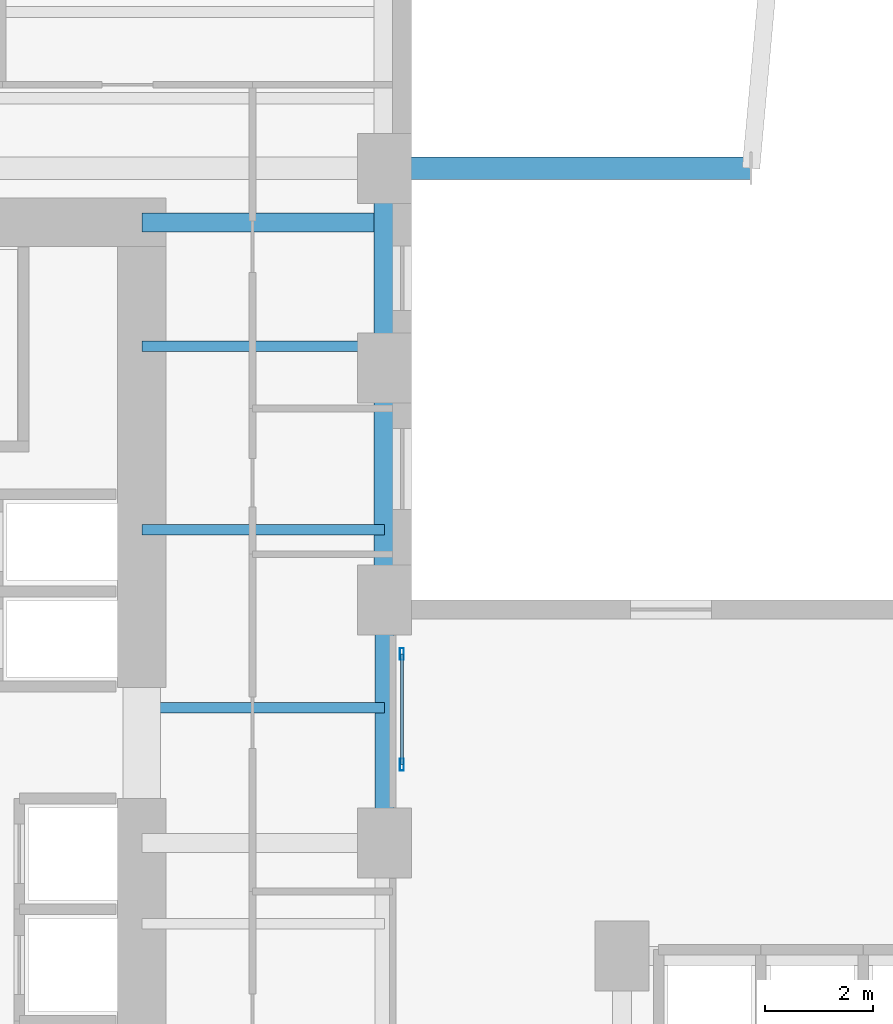
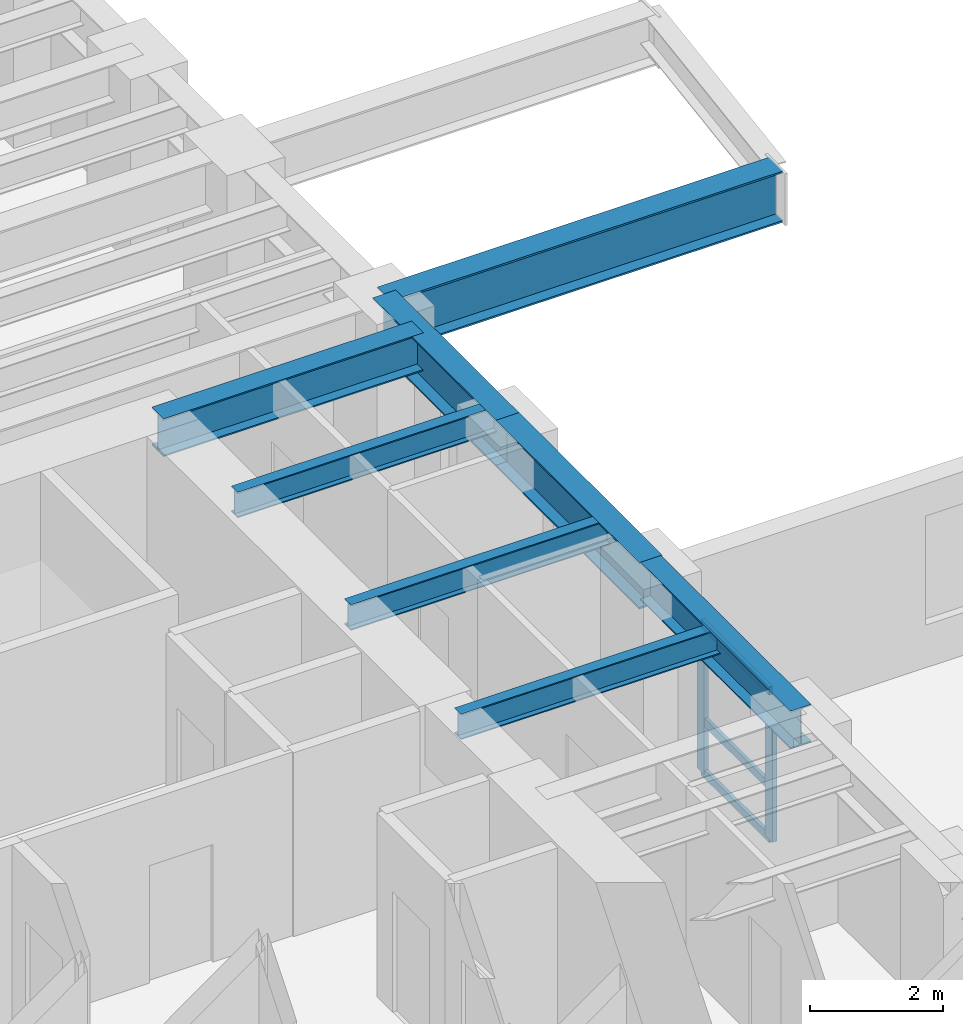
# One storey, part 2 of 14: 8 beams, 5 members, 1 element without a shape of its own.
"""IFC4 building model written with IfcOpenShell, lengths in metres."""

from ifc_helpers import new_model, si_unit, direction, frame, origin, origin_2d, place, context, subcontext, project, spatial, hollow_rectangle, i_section, extrude, source, transform, mapped, material, layer, layer_set, material_profile, profile_set, type_object, element, aggregate, save


model = new_model("IFC4")

# Units and contexts
model_context = context("Model", 3, precision=1e-05, world=origin(), true_north=direction((0.0, 1.0)))
body_context = subcontext(model_context, "Body", "Model", "MODEL_VIEW")
ifc_project = project(units=[si_unit("LENGTHUNIT", "METRE"), si_unit("AREAUNIT", "SQUARE_METRE"), si_unit("VOLUMEUNIT", "CUBIC_METRE"), si_unit("PLANEANGLEUNIT", "RADIAN"), si_unit("MASSUNIT", "GRAM", prefix="KILO")], contexts=[model_context])

# Site, building, storey
site_placement = place(None, origin())
site = spatial("IfcSite", under=ifc_project, at=site_placement, CompositionType="ELEMENT")
building_placement = place(site_placement, origin())
building = spatial("IfcBuilding", under=site, at=building_placement, Name="Kharzan Plaza Tower", CompositionType="ELEMENT")
storey_placement = place(building_placement, frame((0.0, 0.0, 36.89990234375)))
storey = spatial("IfcBuildingStorey", under=building, at=storey_placement, Name="L09", CompositionType="ELEMENT", Elevation=36.89990234375)

# Beams
ifc_material_1 = material(Name="Steel S355", Category="steel")
ifc_material_profile_1 = material_profile(ifc_material_1, i_section(OverallWidth=0.35498046875, OverallDepth=0.695068359375, WebThickness=0.015380859375, FlangeThickness=0.02490234375, at=origin_2d()), Name="W690x217")
ifc_profile_set_1 = profile_set([ifc_material_profile_1], Name="Steel S355")
beam_type_1 = type_object("IfcBeamType", Name="BM-FG690A", PredefinedType="BEAM", material=ifc_profile_set_1)
shared_shape_1 = source(origin(), body_context, "Body", "SweptSolid", [
    extrude(i_section(OverallWidth=0.35498046875, OverallDepth=0.695068359375, WebThickness=0.015380859375, FlangeThickness=0.02490234375, at=origin_2d()), origin(), (0.0, 0.0, 1.0), 4.5),
])
for number, where, z_axis, x_axis, name in (
    (1, (14.5, 29.5, 3.03271484375), (1.0, 0.0, 0.0), (0.0, 1.0, 0.0), "L09 Core-A East Floor Girder 3"),
    (2, (19.0, 18.0, 3.03271484375), (0.0, 1.0, 0.0), (-1.0, 0.0, 0.0), "L09 Interior Frame Girder"),
):
    element("IfcBeam", number, at=place(storey_placement, frame(where, z_axis=z_axis, x_axis=x_axis)), inside=storey, type_object=beam_type_1, Name=name, PredefinedType="BEAM", context=body_context, shape_type="MappedRepresentation", body=[
        mapped(shared_shape_1, transform((0.0, 0.0, 0.0), x_axis=(1.0, 0.0, 0.0), y_axis=(0.0, 1.0, 0.0), z_axis=(0.0, 0.0, 1.0))),
    ])
ifc_material_profile_2 = material_profile(ifc_material_1, i_section(OverallWidth=0.194091796875, OverallDepth=0.468994140625, WebThickness=0.011474609375, FlangeThickness=0.0205078125, at=origin_2d()), Name="W460x106")
ifc_profile_set_2 = profile_set([ifc_material_profile_2], Name="Steel S355")
beam_type_2 = type_object("IfcBeamType", Name="BM-JST460", PredefinedType="JOIST", material=ifc_profile_set_2)
shared_shape_2 = source(origin(), body_context, "Body", "SweptSolid", [
    extrude(i_section(OverallWidth=0.194091796875, OverallDepth=0.468994140625, WebThickness=0.011474609375, FlangeThickness=0.0205078125, at=origin_2d()), origin(), (0.0, 0.0, 1.0), 4.5),
])
for number, where, z_axis, x_axis, name in (
    (3, (14.5, 20.5, 3.1455078125), (1.0, 0.0, 0.0), (0.0, 1.0, 0.0), "L09 Wing A East Infill Joist 4"),
    (4, (14.5, 23.800048828125, 3.1455078125), (1.0, 0.0, 0.0), (0.0, 1.0, 0.0), "L09 Wing A East Infill Joist 5"),
    (5, (14.5, 27.199951171875, 3.1455078125), (1.0, 0.0, 0.0), (0.0, 1.0, 0.0), "L09 Wing A East Infill Joist 6"),
):
    element("IfcBeam", number, at=place(storey_placement, frame(where, z_axis=z_axis, x_axis=x_axis)), inside=storey, type_object=beam_type_2, Name=name, PredefinedType="JOIST", context=body_context, shape_type="MappedRepresentation", body=[
        mapped(shared_shape_2, transform((0.0, 0.0, 0.0), x_axis=(1.0, 0.0, 0.0), y_axis=(0.0, 1.0, 0.0), z_axis=(0.0, 0.0, 1.0))),
    ])
ifc_material_profile_3 = material_profile(ifc_material_1, i_section(OverallWidth=0.40087890625, OverallDepth=0.85498046875, WebThickness=0.018310546875, FlangeThickness=0.029296875, at=origin_2d()), Name="W840x299")
ifc_profile_set_3 = profile_set([ifc_material_profile_3], Name="Steel S355")
beam_type_3 = type_object("IfcBeamType", Name="BM-SP840A", PredefinedType="SPANDREL", material=ifc_profile_set_3)
shared_shape_3 = source(origin(), body_context, "Body", "SweptSolid", [
    extrude(i_section(OverallWidth=0.40087890625, OverallDepth=0.85498046875, WebThickness=0.018310546875, FlangeThickness=0.029296875, at=origin_2d()), origin(), (0.0, 0.0, 1.0), 4.300048828125),
])
beam_1_placement = place(storey_placement, frame((19.0, 22.5, 2.95263671875), z_axis=(0.0, 1.0, 0.0), x_axis=(-1.0, 0.0, 0.0)))
element("IfcBeam", 6, at=beam_1_placement, inside=storey, type_object=beam_type_3, Name="L09 Perimeter Tube Spandrel", PredefinedType="SPANDREL", context=body_context, shape_type="MappedRepresentation", body=[
    mapped(shared_shape_3, transform((0.0, 0.0, 0.0), x_axis=(1.0, 0.0, 0.0), y_axis=(0.0, 1.0, 0.0), z_axis=(0.0, 0.0, 1.0))),
])
shared_shape_4 = source(origin(), body_context, "Body", "SweptSolid", [
    extrude(i_section(OverallWidth=0.40087890625, OverallDepth=0.85498046875, WebThickness=0.018310546875, FlangeThickness=0.029296875, at=origin_2d()), origin(), (0.0, 0.0, 1.0), 3.699951171875),
])
beam_2_placement = place(storey_placement, frame((19.0, 26.800048828125, 2.95263671875), z_axis=(0.0, 1.0, 0.0), x_axis=(-1.0, 0.0, 0.0)))
element("IfcBeam", 7, at=beam_2_placement, inside=storey, type_object=beam_type_3, Name="L09 Perimeter Tube Spandrel", PredefinedType="SPANDREL", context=body_context, shape_type="MappedRepresentation", body=[
    mapped(shared_shape_4, transform((0.0, 0.0, 0.0), x_axis=(1.0, 0.0, 0.0), y_axis=(0.0, 1.0, 0.0), z_axis=(0.0, 0.0, 1.0))),
])
ifc_material_profile_4 = material_profile(ifc_material_1, i_section(OverallWidth=0.41796875, OverallDepth=0.93701171875, WebThickness=0.019287109375, FlangeThickness=0.031982421875, at=origin_2d()), Name="W920x342")
ifc_profile_set_4 = profile_set([ifc_material_profile_4], Name="Steel S355")
beam_type_4 = type_object("IfcBeamType", Name="BM-ZTG920", PredefinedType="BEAM", material=ifc_profile_set_4)
shared_shape_5 = source(origin(), body_context, "Body", "SweptSolid", [
    extrude(i_section(OverallWidth=0.41796875, OverallDepth=0.93701171875, WebThickness=0.019287109375, FlangeThickness=0.031982421875, at=origin_2d()), origin(), (0.0, 0.0, 1.0), 6.7900390625),
])
beam_3_placement = place(storey_placement, frame((19.0, 30.5, 2.91162109375), z_axis=(1.0, 0.0, 0.0), x_axis=(0.0, 1.0, 0.0)))
element("IfcBeam", 8, at=beam_3_placement, inside=storey, type_object=beam_type_4, Name="L09 Sky-Terrace Cantilever Girder ZTG1 (L10 G1)", PredefinedType="BEAM", context=body_context, shape_type="MappedRepresentation", body=[
    mapped(shared_shape_5, transform((0.0, 0.0, 0.0), x_axis=(1.0, 0.0, 0.0), y_axis=(0.0, 1.0, 0.0), z_axis=(0.0, 0.0, 1.0))),
])

# Curtain wall, members
ifc_material_2 = material(Name="Unitised Bronze-Anodized Aluminium and Low-E Glass", Category="aluminium")
ifc_layer = layer(ifc_material_2, 0.199951171875)
ifc_layer_set = layer_set([ifc_layer], Name="Unitised Bronze-Anodized Aluminium and Low-E Glass")
curtain_wall_type = type_object("IfcCurtainWallType", Name="CW-SLOT-3", PredefinedType="NOTDEFINED", material=ifc_layer_set)
curtain_wall_placement = place(storey_placement, origin())
curtain_wall = element("IfcCurtainWall", 9, at=curtain_wall_placement, inside=storey, type_object=curtain_wall_type, Name="L09 West Slot Recessed Spine Curtain Wall", PredefinedType="NOTDEFINED")
ifc_material_3 = material(Name="Anodized Bronze Aluminium", Category="aluminium")
ifc_material_profile_5 = material_profile(ifc_material_3, hollow_rectangle(XDim=0.06005859375, YDim=0.14990234375, WallThickness=0.00341796875, at=origin_2d()), Name="ALU-T150x60x3.5")
ifc_profile_set_5 = profile_set([ifc_material_profile_5], Name="Anodized Bronze Aluminium")
member_type_1 = type_object("IfcMemberType", Name="MEM-CW-TRN150", PredefinedType="USERDEFINED", material=ifc_profile_set_5)
shared_shape_6 = source(origin(), body_context, "Body", "SweptSolid", [
    extrude(hollow_rectangle(XDim=0.06005859375, YDim=0.14990234375, WallThickness=0.00341796875, at=origin_2d()), origin(), (0.0, 0.0, 1.0), 2.050048828125),
])
member_1_placement = place(storey_placement, frame((19.320068359375, 19.449951171875, 0.0), z_axis=(0.0, 1.0, 0.0), x_axis=(-1.0, 0.0, 0.0)))
member_1 = element("IfcMember", 10, at=member_1_placement, type_object=member_type_1, Name="L09 Curtain-Wall Transom 1", ObjectType="TRANSOM", PredefinedType="USERDEFINED", context=body_context, shape_type="MappedRepresentation", body=[
    mapped(shared_shape_6, transform((0.0, 0.0, 0.0), x_axis=(1.0, 0.0, 0.0), y_axis=(0.0, 1.0, 0.0), z_axis=(0.0, 0.0, 1.0))),
])
member_2_placement = place(storey_placement, frame((19.320068359375, 19.449951171875, 0.9501953125), z_axis=(0.0, 1.0, 0.0), x_axis=(-1.0, 0.0, 0.0)))
member_2 = element("IfcMember", 11, at=member_2_placement, type_object=member_type_1, Name="L09 Curtain-Wall Transom 2", ObjectType="TRANSOM", PredefinedType="USERDEFINED", context=body_context, shape_type="MappedRepresentation", body=[
    mapped(shared_shape_6, transform((0.0, 0.0, 0.0), x_axis=(1.0, 0.0, 0.0), y_axis=(0.0, 1.0, 0.0), z_axis=(0.0, 0.0, 1.0))),
])
member_3_placement = place(storey_placement, frame((19.320068359375, 19.449951171875, 2.7001953125), z_axis=(0.0, 1.0, 0.0), x_axis=(-1.0, 0.0, 0.0)))
member_3 = element("IfcMember", 12, at=member_3_placement, type_object=member_type_1, Name="L09 Curtain-Wall Transom 3", ObjectType="TRANSOM", PredefinedType="USERDEFINED", context=body_context, shape_type="MappedRepresentation", body=[
    mapped(shared_shape_6, transform((0.0, 0.0, 0.0), x_axis=(1.0, 0.0, 0.0), y_axis=(0.0, 1.0, 0.0), z_axis=(0.0, 0.0, 1.0))),
])
ifc_material_profile_6 = material_profile(ifc_material_3, hollow_rectangle(XDim=0.074951171875, YDim=0.219970703125, WallThickness=0.00390625, at=origin_2d()), Name="ALU-M220x75x4")
ifc_profile_set_6 = profile_set([ifc_material_profile_6], Name="Anodized Bronze Aluminium")
member_type_2 = type_object("IfcMemberType", Name="MEM-CW-MUL200", PredefinedType="MULLION", material=ifc_profile_set_6)
shared_shape_7 = source(origin(), body_context, "Body", "SweptSolid", [
    extrude(hollow_rectangle(XDim=0.074951171875, YDim=0.219970703125, WallThickness=0.00390625, at=origin_2d()), origin(), (0.0, 0.0, 1.0), 2.7001953125),
])
member_4_placement = place(storey_placement, frame((19.320068359375, 19.449951171875, 0.0), z_axis=(0.0, 0.0, 1.0), x_axis=(1.0, 0.0, 0.0)))
member_4 = element("IfcMember", 13, at=member_4_placement, type_object=member_type_2, Name="L09 Curtain-Wall Mullion 00", PredefinedType="MULLION", context=body_context, shape_type="MappedRepresentation", body=[
    mapped(shared_shape_7, transform((0.0, 0.0, 0.0), x_axis=(1.0, 0.0, 0.0), y_axis=(0.0, 1.0, 0.0), z_axis=(0.0, 0.0, 1.0))),
])
member_5_placement = place(storey_placement, frame((19.320068359375, 21.5, 0.0), z_axis=(0.0, 0.0, 1.0), x_axis=(1.0, 0.0, 0.0)))
member_5 = element("IfcMember", 14, at=member_5_placement, type_object=member_type_2, Name="L09 Curtain-Wall Mullion 01", PredefinedType="MULLION", context=body_context, shape_type="MappedRepresentation", body=[
    mapped(shared_shape_7, transform((0.0, 0.0, 0.0), x_axis=(1.0, 0.0, 0.0), y_axis=(0.0, 1.0, 0.0), z_axis=(0.0, 0.0, 1.0))),
])
aggregate(curtain_wall, [member_4, member_5, member_1, member_2, member_3])

save(model, "model.ifc")
